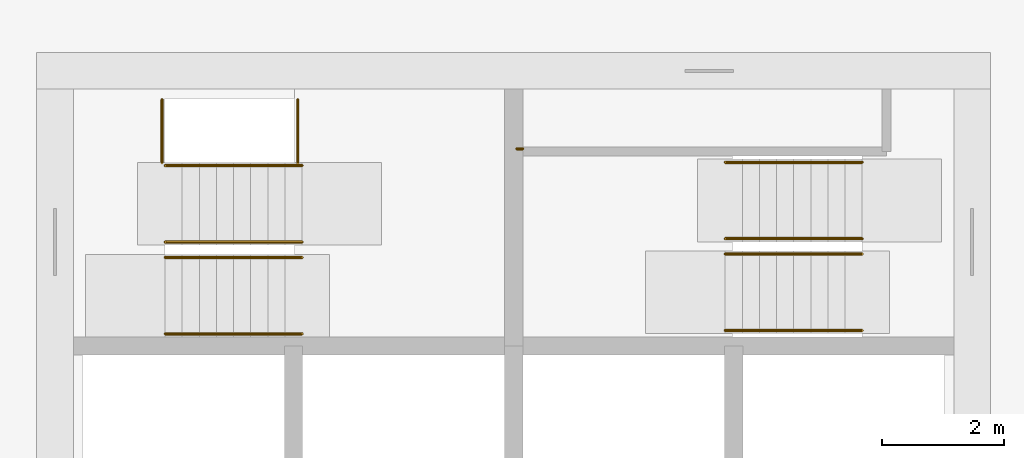
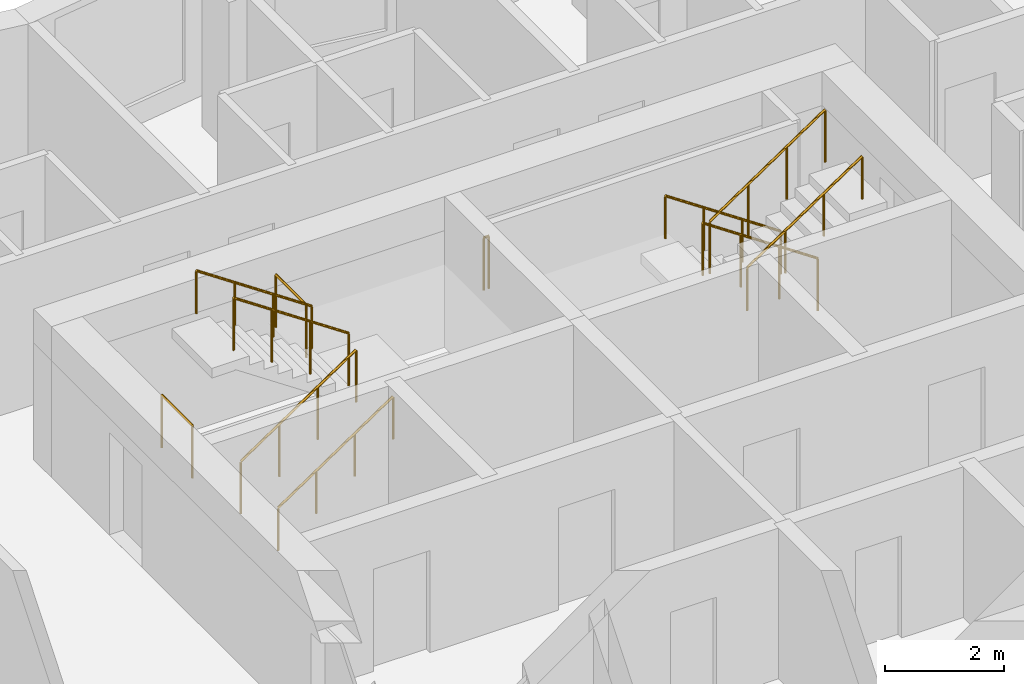
# One storey, part 11 of 12: 11 railings.
"""IFC4 building model written with IfcOpenShell, lengths in metres."""

from ifc_helpers import new_model, si_unit, direction, frame, origin, origin_2d, place, context, subcontext, project, spatial, circle, extrude, material, type_object, element, save


model = new_model("IFC4")

# Units and contexts
model_context = context("Model", 3, precision=1e-05, world=origin(), true_north=direction((0.0, 1.0)))
body_context = subcontext(model_context, "Body", "Model", "MODEL_VIEW")
ifc_project = project(units=[si_unit("LENGTHUNIT", "METRE"), si_unit("AREAUNIT", "SQUARE_METRE"), si_unit("VOLUMEUNIT", "CUBIC_METRE"), si_unit("PLANEANGLEUNIT", "RADIAN"), si_unit("MASSUNIT", "GRAM", prefix="KILO")], contexts=[model_context])

# Site, building, storey
site_placement = place(None, origin())
site = spatial("IfcSite", under=ifc_project, at=site_placement, CompositionType="ELEMENT")
building_placement = place(site_placement, origin())
building = spatial("IfcBuilding", under=site, at=building_placement, Name="Windrow Commons", CompositionType="ELEMENT")
storey_placement = place(building_placement, frame((0.0, 0.0, 166.0)))
storey = spatial("IfcBuildingStorey", under=building, at=storey_placement, Name="L45", CompositionType="ELEMENT", Elevation=166.0)

# Railings
ifc_material_1 = material(Name="Steel S355", Category="steel")
railing_type_1 = type_object("IfcRailingType", Name="Core stair guard 1100", PredefinedType="GUARDRAIL", material=ifc_material_1)
railing_1_placement = place(storey_placement, frame((59.1, 62.05, 0.1889)))
element("IfcRailing", 1, at=railing_1_placement, inside=storey, type_object=railing_type_1, Name="L45 ST-A1 stair guard 1", PredefinedType="GUARDRAIL", context=body_context, shape_type="SweptSolid", body=[
    extrude(circle(Radius=0.024, at=origin_2d()), frame((0.0, 0.0, 1.076), z_axis=(0.8290030985, 0.0, 0.5592440099), x_axis=(0.0, 1.0, 0.0)), (0.0, 0.0, 1.0), 2.702),
    extrude(circle(Radius=0.021, at=origin_2d()), origin(), (0.0, 0.0, 1.0), 1.052),
    extrude(circle(Radius=0.021, at=origin_2d()), frame((0.7467, 0.0, 0.5037)), (0.0, 0.0, 1.0), 1.052),
    extrude(circle(Radius=0.021, at=origin_2d()), frame((1.4933, 0.0, 1.0074)), (0.0, 0.0, 1.0), 1.052),
    extrude(circle(Radius=0.021, at=origin_2d()), frame((2.24, 0.0, 1.5111)), (0.0, 0.0, 1.0), 1.052),
])
railing_2_placement = place(storey_placement, frame((61.34, 62.3, 1.8889)))
element("IfcRailing", 2, at=railing_2_placement, inside=storey, type_object=railing_type_1, Name="L45 ST-A1 stair guard 2", PredefinedType="GUARDRAIL", context=body_context, shape_type="SweptSolid", body=[
    extrude(circle(Radius=0.024, at=origin_2d()), frame((0.0, 0.0, 1.076), z_axis=(-0.8290030985, 0.0, 0.5592440099), x_axis=(0.0, -1.0, 0.0)), (0.0, 0.0, 1.0), 2.702),
    extrude(circle(Radius=0.021, at=origin_2d()), origin(), (0.0, 0.0, 1.0), 1.052),
    extrude(circle(Radius=0.021, at=origin_2d()), frame((-0.7467, 0.0, 0.5037)), (0.0, 0.0, 1.0), 1.052),
    extrude(circle(Radius=0.021, at=origin_2d()), frame((-1.4933, 0.0, 1.0074)), (0.0, 0.0, 1.0), 1.052),
    extrude(circle(Radius=0.021, at=origin_2d()), frame((-2.24, 0.0, 1.5111)), (0.0, 0.0, 1.0), 1.052),
])
for number, where, name in (
    (3, (59.05, 63.6, 0.0), "L45 ST-A1 stair guard 3"),
    (4, (61.27, 63.6, 1.7), "L45 ST-A1 stair guard 4"),
):
    element("IfcRailing", number, at=place(storey_placement, frame(where)), inside=storey, type_object=railing_type_1, Name=name, PredefinedType="GUARDRAIL", context=body_context, shape_type="SweptSolid", body=[
        extrude(circle(Radius=0.024, at=origin_2d()), frame((0.0, 0.0, 1.076), z_axis=(0.0, 1.0, 0.0), x_axis=(-1.0, 0.0, 0.0)), (0.0, 0.0, 1.0), 1.03),
        extrude(circle(Radius=0.021, at=origin_2d()), origin(), (0.0, 0.0, 1.0), 1.052),
        extrude(circle(Radius=0.021, at=origin_2d()), frame((0.0, 1.03, 0.0)), (0.0, 0.0, 1.0), 1.052),
    ])
railing_3_placement = place(storey_placement, frame((70.5, 62.355, 0.1889)))
element("IfcRailing", 5, at=railing_3_placement, inside=storey, type_object=railing_type_1, Name="L45 ST-A2 stair guard 1", PredefinedType="GUARDRAIL", context=body_context, shape_type="SweptSolid", body=[
    extrude(circle(Radius=0.024, at=origin_2d()), frame((0.0, 0.0, 1.076), z_axis=(-0.8290030985, 0.0, 0.5592440099), x_axis=(0.0, -1.0, 0.0)), (0.0, 0.0, 1.0), 2.702),
    extrude(circle(Radius=0.021, at=origin_2d()), origin(), (0.0, 0.0, 1.0), 1.052),
    extrude(circle(Radius=0.021, at=origin_2d()), frame((-0.7467, 0.0, 0.5037)), (0.0, 0.0, 1.0), 1.052),
    extrude(circle(Radius=0.021, at=origin_2d()), frame((-1.4933, 0.0, 1.0074)), (0.0, 0.0, 1.0), 1.052),
    extrude(circle(Radius=0.021, at=origin_2d()), frame((-2.24, 0.0, 1.5111)), (0.0, 0.0, 1.0), 1.052),
])
railing_4_placement = place(storey_placement, frame((68.26, 62.105, 1.8889)))
element("IfcRailing", 6, at=railing_4_placement, inside=storey, type_object=railing_type_1, Name="L45 ST-A2 stair guard 2", PredefinedType="GUARDRAIL", context=body_context, shape_type="SweptSolid", body=[
    extrude(circle(Radius=0.024, at=origin_2d()), frame((0.0, 0.0, 1.076), z_axis=(0.8290030985, 0.0, 0.5592440099), x_axis=(0.0, 1.0, 0.0)), (0.0, 0.0, 1.0), 2.702),
    extrude(circle(Radius=0.021, at=origin_2d()), origin(), (0.0, 0.0, 1.0), 1.052),
    extrude(circle(Radius=0.021, at=origin_2d()), frame((0.7467, 0.0, 0.5037)), (0.0, 0.0, 1.0), 1.052),
    extrude(circle(Radius=0.021, at=origin_2d()), frame((1.4933, 0.0, 1.0074)), (0.0, 0.0, 1.0), 1.052),
    extrude(circle(Radius=0.021, at=origin_2d()), frame((2.24, 0.0, 1.5111)), (0.0, 0.0, 1.0), 1.052),
])
railing_5_placement = place(storey_placement, frame((64.95, 63.825, 1.7)))
element("IfcRailing", 7, at=railing_5_placement, inside=storey, type_object=railing_type_1, Name="L45 ST-A2 stair guard 3", PredefinedType="GUARDRAIL", context=body_context, shape_type="SweptSolid", body=[
    extrude(circle(Radius=0.024, at=origin_2d()), frame((0.0, 0.0, 1.076), z_axis=(-1.0, 0.0, 0.0), x_axis=(0.0, -1.0, 0.0)), (0.0, 0.0, 1.0), 0.1),
    extrude(circle(Radius=0.021, at=origin_2d()), origin(), (0.0, 0.0, 1.0), 1.052),
    extrude(circle(Radius=0.021, at=origin_2d()), frame((-0.1, 0.0, 0.0)), (0.0, 0.0, 1.0), 1.052),
])
ifc_material_2 = material(Name="Steel S355", Category="steel")
railing_type_2 = type_object("IfcRailingType", Name="Core stair handrail 900", PredefinedType="HANDRAIL", material=ifc_material_2)
railing_6_placement = place(storey_placement, frame((59.1, 60.8, 0.1889)))
element("IfcRailing", 8, at=railing_6_placement, inside=storey, type_object=railing_type_2, Name="L45 ST-A1 stair handrail 1", PredefinedType="HANDRAIL", context=body_context, shape_type="SweptSolid", body=[
    extrude(circle(Radius=0.024, at=origin_2d()), frame((0.0, 0.0, 0.876), z_axis=(0.8290030985, 0.0, 0.5592440099), x_axis=(0.0, 1.0, 0.0)), (0.0, 0.0, 1.0), 2.702),
    extrude(circle(Radius=0.021, at=origin_2d()), origin(), (0.0, 0.0, 1.0), 0.852),
    extrude(circle(Radius=0.021, at=origin_2d()), frame((0.7467, 0.0, 0.5037)), (0.0, 0.0, 1.0), 0.852),
    extrude(circle(Radius=0.021, at=origin_2d()), frame((1.4933, 0.0, 1.0074)), (0.0, 0.0, 1.0), 0.852),
    extrude(circle(Radius=0.021, at=origin_2d()), frame((2.24, 0.0, 1.5111)), (0.0, 0.0, 1.0), 0.852),
])
for number, where, name in (
    (9, (61.34, 63.55, 1.8889), "L45 ST-A1 stair handrail 2"),
    (10, (70.5, 63.605, 0.1889), "L45 ST-A2 stair handrail 1"),
):
    element("IfcRailing", number, at=place(storey_placement, frame(where)), inside=storey, type_object=railing_type_2, Name=name, PredefinedType="HANDRAIL", context=body_context, shape_type="SweptSolid", body=[
        extrude(circle(Radius=0.024, at=origin_2d()), frame((0.0, 0.0, 0.876), z_axis=(-0.8290030985, 0.0, 0.5592440099), x_axis=(0.0, -1.0, 0.0)), (0.0, 0.0, 1.0), 2.702),
        extrude(circle(Radius=0.021, at=origin_2d()), origin(), (0.0, 0.0, 1.0), 0.852),
        extrude(circle(Radius=0.021, at=origin_2d()), frame((-0.7467, 0.0, 0.5037)), (0.0, 0.0, 1.0), 0.852),
        extrude(circle(Radius=0.021, at=origin_2d()), frame((-1.4933, 0.0, 1.0074)), (0.0, 0.0, 1.0), 0.852),
        extrude(circle(Radius=0.021, at=origin_2d()), frame((-2.24, 0.0, 1.5111)), (0.0, 0.0, 1.0), 0.852),
    ])
railing_7_placement = place(storey_placement, frame((68.26, 60.855, 1.8889)))
element("IfcRailing", 11, at=railing_7_placement, inside=storey, type_object=railing_type_2, Name="L45 ST-A2 stair handrail 2", PredefinedType="HANDRAIL", context=body_context, shape_type="SweptSolid", body=[
    extrude(circle(Radius=0.024, at=origin_2d()), frame((0.0, 0.0, 0.876), z_axis=(0.8290030985, 0.0, 0.5592440099), x_axis=(0.0, 1.0, 0.0)), (0.0, 0.0, 1.0), 2.702),
    extrude(circle(Radius=0.021, at=origin_2d()), origin(), (0.0, 0.0, 1.0), 0.852),
    extrude(circle(Radius=0.021, at=origin_2d()), frame((0.7467, 0.0, 0.5037)), (0.0, 0.0, 1.0), 0.852),
    extrude(circle(Radius=0.021, at=origin_2d()), frame((1.4933, 0.0, 1.0074)), (0.0, 0.0, 1.0), 0.852),
    extrude(circle(Radius=0.021, at=origin_2d()), frame((2.24, 0.0, 1.5111)), (0.0, 0.0, 1.0), 0.852),
])

save(model, "model.ifc")
